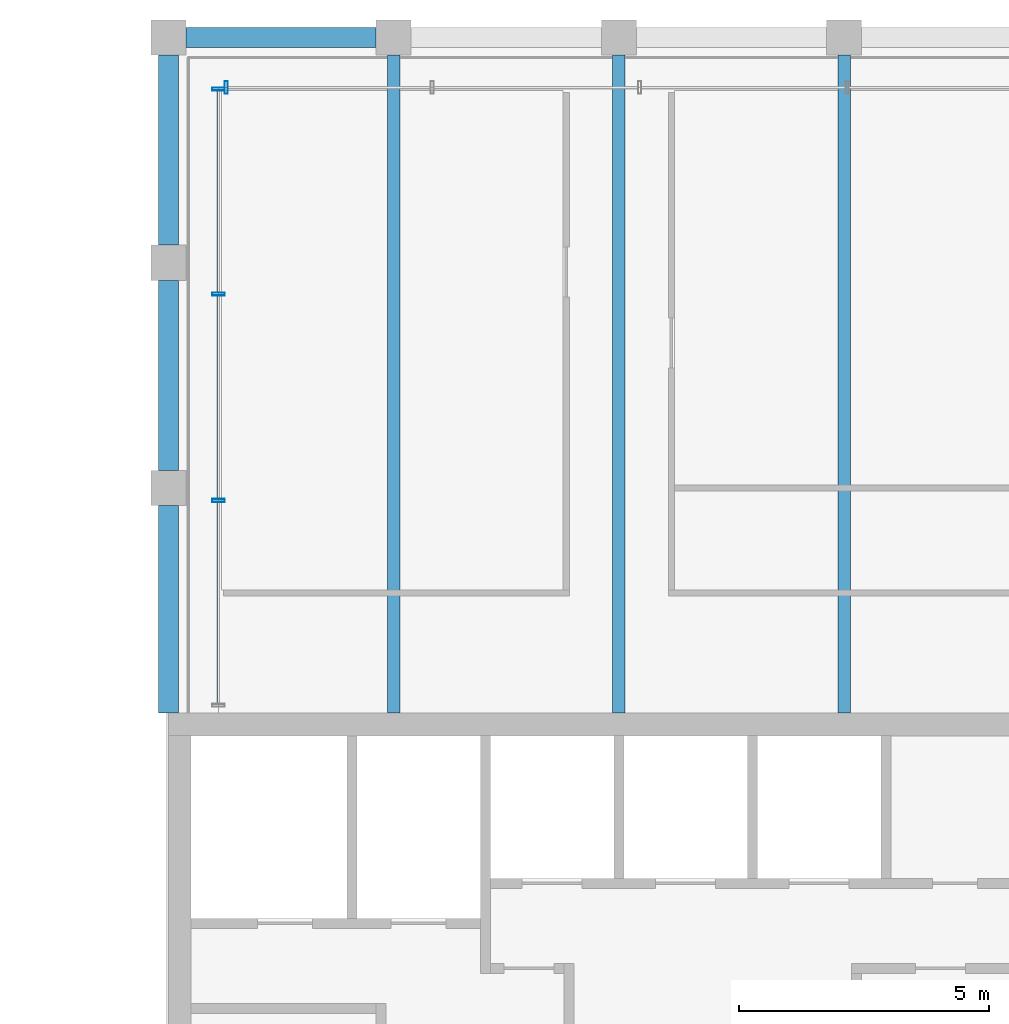
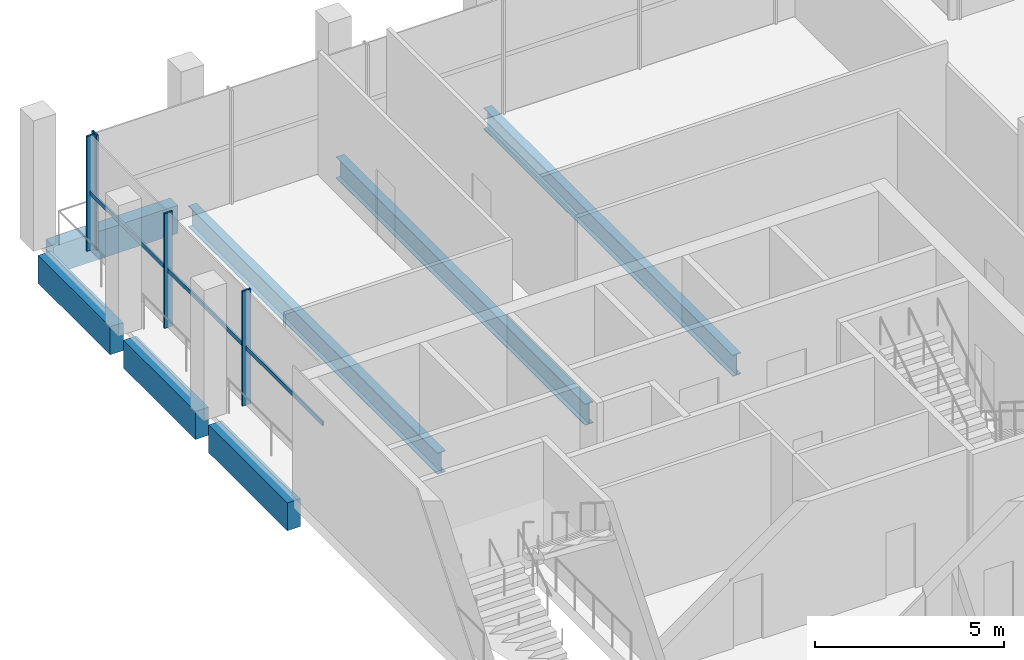
# One storey, part 10 of 17: 7 beams, 7 members, 2 elements without a shape of their own.
"""IFC4 building model written with IfcOpenShell, lengths in metres."""

from ifc_helpers import new_model, si_unit, direction, frame, origin, origin_2d, place, context, subcontext, project, spatial, rectangle, hollow_rectangle, i_section, extrude, material, material_profile, profile_set, type_object, element, aggregate, save


model = new_model("IFC4")

# Units and contexts
model_context = context("Model", 3, precision=1e-05, world=origin(), true_north=direction((0.0, 1.0)))
body_context = subcontext(model_context, "Body", "Model", "MODEL_VIEW")
ifc_project = project(units=[si_unit("LENGTHUNIT", "METRE"), si_unit("AREAUNIT", "SQUARE_METRE"), si_unit("VOLUMEUNIT", "CUBIC_METRE"), si_unit("PLANEANGLEUNIT", "RADIAN"), si_unit("MASSUNIT", "GRAM", prefix="KILO")], contexts=[model_context])

# Site, building, storey
site_placement = place(None, origin())
site = spatial("IfcSite", under=ifc_project, at=site_placement, CompositionType="ELEMENT")
building_placement = place(site_placement, origin())
building = spatial("IfcBuilding", under=site, at=building_placement, Name="Altepetl Exchange Towers", CompositionType="ELEMENT")
storey_placement = place(building_placement, frame((0.0, 0.0, 259.39990234375)))
storey = spatial("IfcBuildingStorey", under=building, at=storey_placement, Name="L66", CompositionType="ELEMENT", Elevation=259.39990234375)

# Beams
ifc_material_1 = material(Name="Steel S355", Category="steel")
ifc_material_profile_1 = material_profile(ifc_material_1, i_section(OverallWidth=0.25390625, OverallDepth=0.68408203125, WebThickness=0.012451171875, FlangeThickness=0.018798828125, at=origin_2d()), Name="W27X94")
ifc_profile_set_1 = profile_set([ifc_material_profile_1], Name="Steel S355")
beam_type_1 = type_object("IfcBeamType", Name="Floor beam W27X94", PredefinedType="BEAM", material=ifc_profile_set_1)
for number, where, z_axis, x_axis, name in (
    (1, (45.0, 58.5, -0.516845703125), (0.0, 1.0, 0.0), (-1.0, 0.0, 0.0), "bm:A:L66:000"),
    (2, (49.5, 58.5, -0.516845703125), (0.0, 1.0, 0.0), (-1.0, 0.0, 0.0), "bm:A:L66:001"),
    (3, (54.0, 58.5, -0.516845703125), (0.0, 1.0, 0.0), (-1.0, 0.0, 0.0), "bm:A:L66:002"),
):
    element("IfcBeam", number, at=place(storey_placement, frame(where, z_axis=z_axis, x_axis=x_axis)), inside=storey, type_object=beam_type_1, Name=name, PredefinedType="BEAM", context=body_context, shape_type="SweptSolid", body=[
        extrude(i_section(OverallWidth=0.25390625, OverallDepth=0.68408203125, WebThickness=0.012451171875, FlangeThickness=0.018798828125, at=origin_2d()), origin(), (0.0, 0.0, 1.0), 13.14990234375),
    ])

# Curtain wall, member
ifc_material_2 = material(Name="Aluminium 6063-T6 glazing", Category="aluminium")
curtain_wall_type = type_object("IfcCurtainWallType", Name="Executive flush glazing system", PredefinedType="NOTDEFINED", material=ifc_material_2)
curtain_wall_1_placement = place(storey_placement, origin())
curtain_wall_1 = element("IfcCurtainWall", 4, at=curtain_wall_1_placement, inside=storey, type_object=curtain_wall_type, Name="CW4 run", PredefinedType="NOTDEFINED")
ifc_material_3 = material(Name="Aluminium 6063-T6", Category="aluminium")
ifc_material_profile_2 = material_profile(ifc_material_3, hollow_rectangle(XDim=0.06005859375, YDim=0.25, WallThickness=0.0029296875, at=origin_2d()), Name="Mullion 60x250 hollow aluminium")
ifc_profile_set_2 = profile_set([ifc_material_profile_2], Name="Aluminium 6063-T6")
member_type_1 = type_object("IfcMemberType", Name="Mullion 60x250 hollow aluminium", PredefinedType="MULLION", material=ifc_profile_set_2)
member_1_placement = place(storey_placement, frame((41.655029296875, 71.0, 0.0), z_axis=(0.0, 0.0, 1.0), x_axis=(-1.0, 0.0, 0.0)))
member_1 = element("IfcMember", 5, at=member_1_placement, type_object=member_type_1, Name="MU3 mullion", PredefinedType="MULLION", context=body_context, shape_type="SweptSolid", body=[
    extrude(hollow_rectangle(XDim=0.06005859375, YDim=0.25, WallThickness=0.0029296875, at=origin_2d()), origin(), (0.0, 0.0, 1.0), 3.7001953125),
])
aggregate(curtain_wall_1, [member_1])

# Curtain wall, members
curtain_wall_2_placement = place(storey_placement, origin())
curtain_wall_2 = element("IfcCurtainWall", 6, at=curtain_wall_2_placement, inside=storey, type_object=curtain_wall_type, Name="CW4 run", PredefinedType="NOTDEFINED")
member_2_placement = place(storey_placement, frame((41.5, 70.969970703125, 0.0), z_axis=(0.0, 0.0, 1.0), x_axis=(0.0, -1.0, 0.0)))
member_2 = element("IfcMember", 7, at=member_2_placement, type_object=member_type_1, Name="MU3 mullion", PredefinedType="MULLION", context=body_context, shape_type="SweptSolid", body=[
    extrude(hollow_rectangle(XDim=0.06005859375, YDim=0.25, WallThickness=0.0029296875, at=origin_2d()), origin(), (0.0, 0.0, 1.0), 3.7001953125),
])
member_3_placement = place(storey_placement, frame((41.5, 66.875, 0.0), z_axis=(0.0, 0.0, 1.0), x_axis=(0.0, -1.0, 0.0)))
member_3 = element("IfcMember", 8, at=member_3_placement, type_object=member_type_1, Name="MU3 mullion", PredefinedType="MULLION", context=body_context, shape_type="SweptSolid", body=[
    extrude(hollow_rectangle(XDim=0.06005859375, YDim=0.25, WallThickness=0.0029296875, at=origin_2d()), origin(), (0.0, 0.0, 1.0), 3.7001953125),
])
member_4_placement = place(storey_placement, frame((41.5, 62.75, 0.0), z_axis=(0.0, 0.0, 1.0), x_axis=(0.0, -1.0, 0.0)))
member_4 = element("IfcMember", 9, at=member_4_placement, type_object=member_type_1, Name="MU3 mullion", PredefinedType="MULLION", context=body_context, shape_type="SweptSolid", body=[
    extrude(hollow_rectangle(XDim=0.06005859375, YDim=0.25, WallThickness=0.0029296875, at=origin_2d()), origin(), (0.0, 0.0, 1.0), 3.7001953125),
])

# Beams
ifc_material_4 = material(Name="Concrete C50/60 precast with cantera rosa facing", Category="concrete")
ifc_material_profile_3 = material_profile(ifc_material_4, rectangle(XDim=0.39990234375, YDim=0.89990234375, at=origin_2d()), Name="400 x 900")
ifc_profile_set_3 = profile_set([ifc_material_profile_3], Name="Concrete C50/60 precast with cantera rosa facing")
beam_type_2 = type_object("IfcBeamType", Name="Spandrel beam 400x900 cantera rosa", PredefinedType="SPANDREL", material=ifc_profile_set_3)
beam_1_placement = place(storey_placement, frame((44.64990234375, 72.0, -0.625), z_axis=(-1.0, 0.0, 0.0), x_axis=(0.0, -1.0, 0.0)))
element("IfcBeam", 10, at=beam_1_placement, inside=storey, type_object=beam_type_2, Name="sp:A:L66:029", PredefinedType="SPANDREL", context=body_context, shape_type="SweptSolid", body=[
    extrude(rectangle(XDim=0.39990234375, YDim=0.89990234375, at=origin_2d()), origin(), (0.0, 0.0, 1.0), 3.7998046875),
])
ifc_material_5 = material(Name="Concrete C50/60 precast with tezontle facing", Category="concrete")
ifc_material_profile_4 = material_profile(ifc_material_5, rectangle(XDim=0.39990234375, YDim=0.89990234375, at=origin_2d()), Name="400 x 900")
ifc_profile_set_4 = profile_set([ifc_material_profile_4], Name="Concrete C50/60 precast with tezontle facing")
beam_type_3 = type_object("IfcBeamType", Name="Spandrel beam 400x900 tezontle", PredefinedType="SPANDREL", material=ifc_profile_set_4)
for number, where, z_axis, x_axis, name in (
    (11, (40.5, 71.64990234375, -0.625), (0.0, -1.0, 0.0), (1.0, 0.0, 0.0), "sp:A:L66:030"),
    (12, (40.5, 67.14990234375, -0.625), (0.0, -1.0, 0.0), (1.0, 0.0, 0.0), "sp:A:L66:031"),
):
    element("IfcBeam", number, at=place(storey_placement, frame(where, z_axis=z_axis, x_axis=x_axis)), inside=storey, type_object=beam_type_3, Name=name, PredefinedType="SPANDREL", context=body_context, shape_type="SweptSolid", body=[
        extrude(rectangle(XDim=0.39990234375, YDim=0.89990234375, at=origin_2d()), origin(), (0.0, 0.0, 1.0), 3.7998046875),
    ])
beam_2_placement = place(storey_placement, frame((40.5, 62.64990234375, -0.625), z_axis=(0.0, -1.0, 0.0), x_axis=(1.0, 0.0, 0.0)))
element("IfcBeam", 13, at=beam_2_placement, inside=storey, type_object=beam_type_3, Name="sp:A:L66:032", PredefinedType="SPANDREL", context=body_context, shape_type="SweptSolid", body=[
    extrude(rectangle(XDim=0.39990234375, YDim=0.89990234375, at=origin_2d()), origin(), (0.0, 0.0, 1.0), 4.14990234375),
])

# Member
ifc_material_profile_5 = material_profile(ifc_material_3, hollow_rectangle(XDim=0.050048828125, YDim=0.139892578125, WallThickness=0.0029296875, at=origin_2d()), Name="Transom 50x140 hollow aluminium")
ifc_profile_set_5 = profile_set([ifc_material_profile_5], Name="Aluminium 6063-T6")
member_type_2 = type_object("IfcMemberType", Name="Transom 50x140 hollow aluminium", PredefinedType="USERDEFINED", material=ifc_profile_set_5)
member_5_placement = place(storey_placement, frame((41.5, 70.93994140625, 1.85009765625), z_axis=(0.0, -1.0, 0.0), x_axis=(1.0, 0.0, 0.0)))
member_5 = element("IfcMember", 14, at=member_5_placement, type_object=member_type_2, Name="TR2 transom", ObjectType="TRANSOM", PredefinedType="USERDEFINED", context=body_context, shape_type="SweptSolid", body=[
    extrude(hollow_rectangle(XDim=0.050048828125, YDim=0.139892578125, WallThickness=0.0029296875, at=origin_2d()), origin(), (0.0, 0.0, 1.0), 4.034912109375),
])

member_6_placement = place(storey_placement, frame((41.5, 66.844970703125, 1.85009765625), z_axis=(0.0, -1.0, 0.0), x_axis=(1.0, 0.0, 0.0)))
member_6 = element("IfcMember", 15, at=member_6_placement, type_object=member_type_2, Name="TR2 transom", ObjectType="TRANSOM", PredefinedType="USERDEFINED", context=body_context, shape_type="SweptSolid", body=[
    extrude(hollow_rectangle(XDim=0.050048828125, YDim=0.139892578125, WallThickness=0.0029296875, at=origin_2d()), origin(), (0.0, 0.0, 1.0), 4.06494140625),
])

member_7_placement = place(storey_placement, frame((41.5, 62.719970703125, 1.85009765625), z_axis=(0.0, -1.0, 0.0), x_axis=(1.0, 0.0, 0.0)))
member_7 = element("IfcMember", 16, at=member_7_placement, type_object=member_type_2, Name="TR2 transom", ObjectType="TRANSOM", PredefinedType="USERDEFINED", context=body_context, shape_type="SweptSolid", body=[
    extrude(hollow_rectangle(XDim=0.050048828125, YDim=0.139892578125, WallThickness=0.0029296875, at=origin_2d()), origin(), (0.0, 0.0, 1.0), 4.034912109375),
])

aggregate(curtain_wall_2, [member_2, member_3, member_4, member_5, member_6, member_7])

save(model, "model.ifc")
